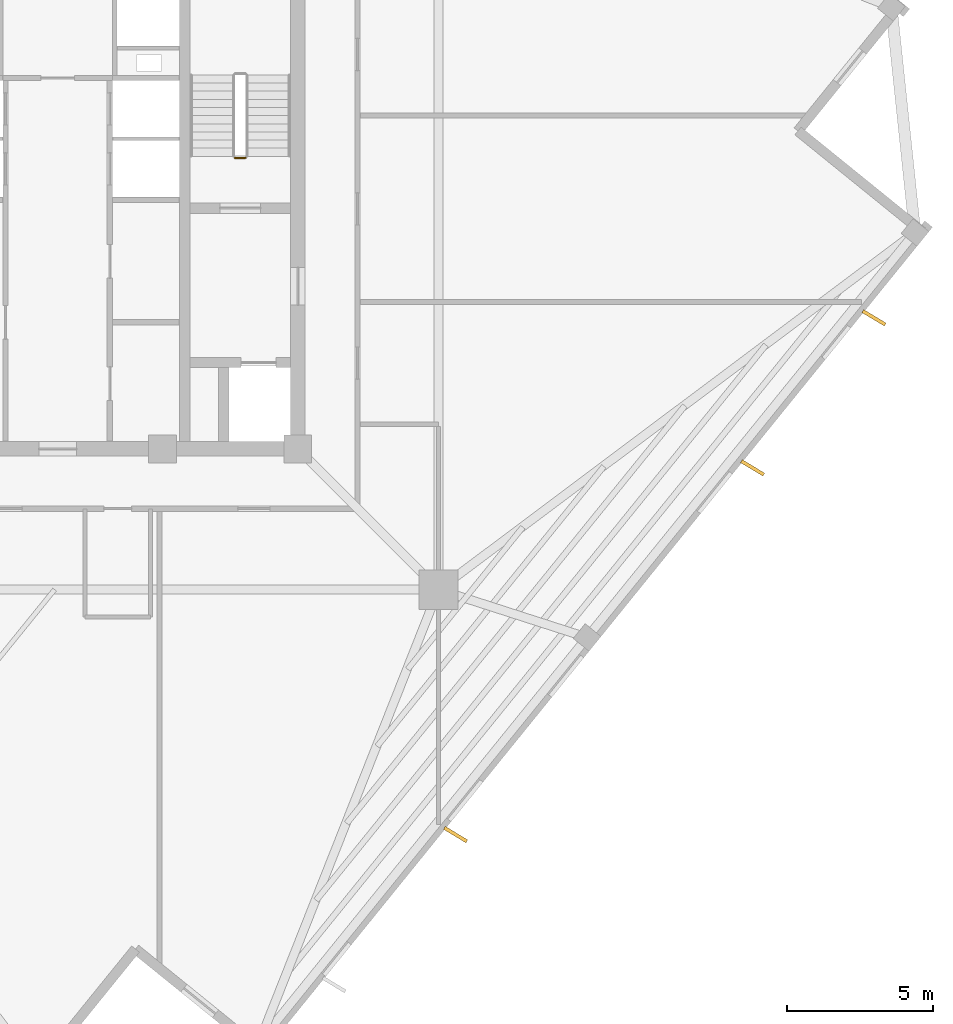
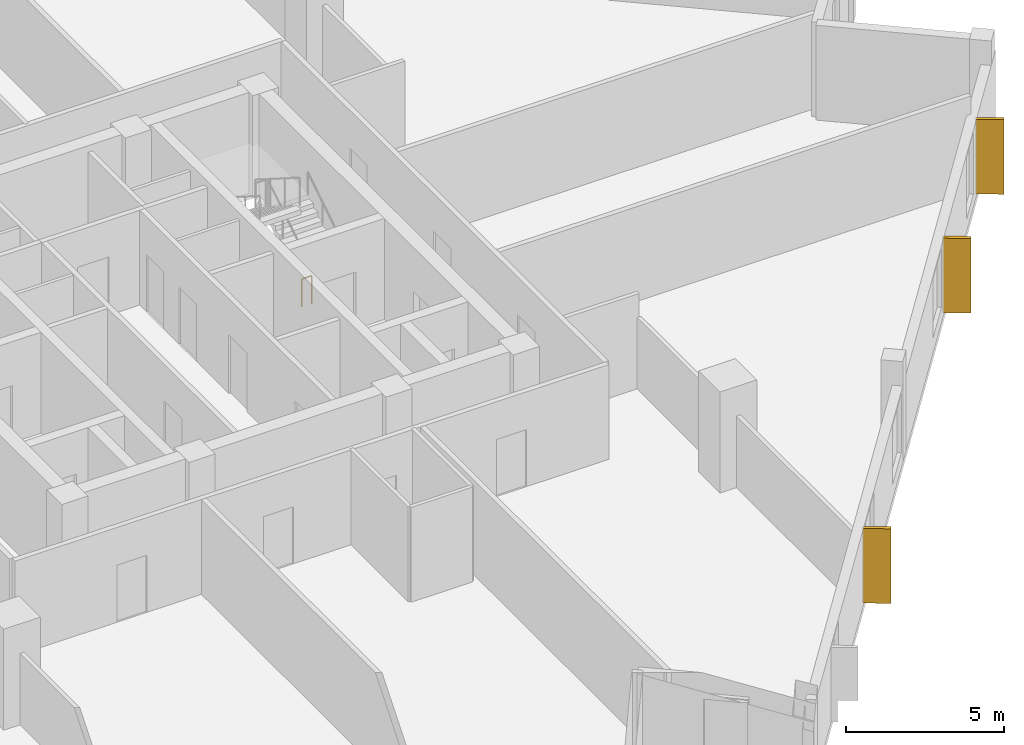
# One storey, part 8 of 10: 3 coverings, 1 railing.
"""IFC4 building model written with IfcOpenShell, lengths in metres."""

import ifcopenshell
import ifcopenshell.guid

model = None  # the IFC model being written
_history = None  # IfcOwnerHistory: only IFC2X3 demands one
_inside = {}  # id of a spatial element -> (the spatial element, [elements in it])
_under = {}  # id of a project, library or spatial element -> (it, [spatial elements below it])
_declared = {}  # id of a project -> (the project, [libraries it declares])
_typed = {}  # id of a type object -> (the type object, [elements of that type])
_made_of = {}  # id of a material, layer set ... -> (it, [elements and type objects made of it])


def new_model(schema):
    """Start an empty IFC model of exactly this schema.

    Asked for "IFC4X3", IfcOpenShell would pick the latest addendum, in which some entities
    have other attributes; the version numbers below select the first issue.
    IFC2X3 requires an IfcOwnerHistory on every rooted entity: one is made here for all.
    """
    global model, _history
    if schema == "IFC4X3":
        model = ifcopenshell.file(schema_version=(4, 3, 0, 0))
    else:
        model = ifcopenshell.file(schema=schema)
    _inside.clear()
    _under.clear()
    _declared.clear()
    _typed.clear()
    _made_of.clear()
    _history = None
    if model.schema == "IFC2X3":
        org = make("IfcOrganization", Name="unknown")
        user = make(
            "IfcPersonAndOrganization",
            ThePerson=make("IfcPerson", FamilyName="unknown"),
            TheOrganization=org,
        )
        app = make(
            "IfcApplication",
            ApplicationDeveloper=org,
            Version="unknown",
            ApplicationFullName="unknown",
            ApplicationIdentifier="unknown",
        )
        _history = make(
            "IfcOwnerHistory",
            OwningUser=user,
            OwningApplication=app,
            ChangeAction="ADDED",
            CreationDate=0,
        )
    return model


def make(cls, **values):
    """One entity of the class cls with the attributes given. An attribute that is None is left unset."""
    return model.create_entity(
        cls, **{name: value for name, value in values.items() if value is not None}
    )


def rooted(cls, **values):
    """An entity with a GlobalId (a new one), such as an element, a storey or a relation."""
    return make(cls, GlobalId=ifcopenshell.guid.new(), OwnerHistory=_history, **values)


def si_unit(unit_type, name, prefix=None):
    """IfcSIUnit, for example si_unit("LENGTHUNIT", "METRE", prefix="MILLI")."""
    return make("IfcSIUnit", UnitType=unit_type, Prefix=prefix, Name=name)


def assignment(units):
    """IfcUnitAssignment: the units of a project."""
    return None if units is None else make("IfcUnitAssignment", Units=units)


def point(xyz):
    """IfcCartesianPoint."""
    return None if xyz is None else make("IfcCartesianPoint", Coordinates=xyz)


def direction(xyz):
    """IfcDirection."""
    return None if xyz is None else make("IfcDirection", DirectionRatios=xyz)


def frame(location, z_axis=None, x_axis=None):
    """IfcAxis2Placement3D, a coordinate frame: its origin and axes. An axis left out is left unset."""
    return make(
        "IfcAxis2Placement3D",
        Location=point(location),
        Axis=direction(z_axis),
        RefDirection=direction(x_axis),
    )


def frame_2d(location, x_axis=None):
    """IfcAxis2Placement2D, a coordinate frame in the plane: its origin and x axis."""
    return make(
        "IfcAxis2Placement2D", Location=point(location), RefDirection=direction(x_axis)
    )


def origin():
    """The frame at (0, 0, 0) with its axes left unset."""
    return frame((0.0, 0.0, 0.0))


def origin_2d():
    """The frame at (0, 0) in the plane with its x axis left unset."""
    return frame_2d((0.0, 0.0))


def place(relative_to, where):
    """IfcLocalPlacement: puts the frame where relative to a parent placement (None: the world)."""
    return make(
        "IfcLocalPlacement", PlacementRelTo=relative_to, RelativePlacement=where
    )


def context(
    kind, dimensions, precision=None, world=None, true_north=None, identifier=None
):
    """IfcGeometricRepresentationContext, for example the 3D "Model" context."""
    return make(
        "IfcGeometricRepresentationContext",
        ContextIdentifier=identifier,
        ContextType=kind,
        CoordinateSpaceDimension=dimensions,
        Precision=precision,
        WorldCoordinateSystem=world,
        TrueNorth=true_north,
    )


def subcontext(parent, identifier, kind, view, scale=None):
    """IfcGeometricRepresentationSubContext, for example "Body" below "Model"."""
    return make(
        "IfcGeometricRepresentationSubContext",
        ContextIdentifier=identifier,
        ContextType=kind,
        ParentContext=parent,
        TargetScale=scale,
        TargetView=view,
    )


def project(units=None, contexts=None):
    """IfcProject with its units and contexts."""
    return rooted(
        "IfcProject",
        Name="project",
        RepresentationContexts=contexts,
        UnitsInContext=assignment(units),
    )


def spatial(cls, under=None, at=None, **own):
    """A site, building, storey or space (cls), placed at a placement, below another one or the project."""
    s = rooted(cls, ObjectPlacement=at, **own)
    if under is not None:
        _under.setdefault(under.id(), (under, []))[1].append(s)
    return s


def profile(cls, at=None, kind="AREA", **sizes):
    """A parametric profile (cls). Its sizes go by their IFC names, for example OverallWidth=200.0."""
    return make(cls, ProfileType=kind, Position=at, **sizes)


def rectangle(**sizes):
    """IfcRectangleProfileDef."""
    return profile("IfcRectangleProfileDef", **sizes)


def circle(**sizes):
    """IfcCircleProfileDef."""
    return profile("IfcCircleProfileDef", **sizes)


def extrude(swept, where, along, depth):
    """IfcExtrudedAreaSolid: the profile swept, set in the frame where, extruded along a direction by depth."""
    return make(
        "IfcExtrudedAreaSolid",
        SweptArea=swept,
        Position=where,
        ExtrudedDirection=direction(along),
        Depth=depth,
    )


def shape(context_of_items, identifier, shape_type, items):
    """IfcShapeRepresentation: the items that make up one representation, for example the "Body"."""
    return make(
        "IfcShapeRepresentation",
        ContextOfItems=context_of_items,
        RepresentationIdentifier=identifier,
        RepresentationType=shape_type,
        Items=items,
    )


def source(mapping_origin, context_of_items, identifier, shape_type, items):
    """IfcRepresentationMap: a shape defined once, which mapped items show again and again."""
    return make(
        "IfcRepresentationMap",
        MappingOrigin=mapping_origin,
        MappedRepresentation=shape(context_of_items, identifier, shape_type, items),
    )


def transform(
    local_origin,
    x_axis=None,
    y_axis=None,
    z_axis=None,
    scale=None,
    scale2=None,
    scale3=None,
    uniform=True,
):
    """IfcCartesianTransformationOperator3D, or its non-uniform kind. x_axis, y_axis, z_axis: its Axis1, 2, 3."""
    if uniform:
        return make(
            "IfcCartesianTransformationOperator3D",
            Axis1=direction(x_axis),
            Axis2=direction(y_axis),
            LocalOrigin=point(local_origin),
            Scale=scale,
            Axis3=direction(z_axis),
        )
    return make(
        "IfcCartesianTransformationOperator3DnonUniform",
        Axis1=direction(x_axis),
        Axis2=direction(y_axis),
        LocalOrigin=point(local_origin),
        Scale=scale,
        Axis3=direction(z_axis),
        Scale2=scale2,
        Scale3=scale3,
    )


def mapped(mapping_source, mapping_target):
    """IfcMappedItem: shows the shape of a source again, moved by a transform."""
    return make(
        "IfcMappedItem", MappingSource=mapping_source, MappingTarget=mapping_target
    )


def material(Name=None, Category=None):
    """IfcMaterial."""
    return make("IfcMaterial", Name=Name, Category=Category)


def layer(
    of_material, thickness, ventilated=None, Name=None, Category=None, Priority=None
):
    """IfcMaterialLayer: one layer of a wall or slab, of a material (None: an air gap)."""
    return make(
        "IfcMaterialLayer",
        Material=of_material,
        LayerThickness=thickness,
        IsVentilated=ventilated,
        Name=Name,
        Category=Category,
        Priority=Priority,
    )


def layer_set(layers, Name=None):
    """IfcMaterialLayerSet."""
    return make("IfcMaterialLayerSet", MaterialLayers=layers, LayerSetName=Name)


def made_of(thing, what):
    """Note that an element or type object is made of a material, layer set ...; save() writes the relation."""
    if what is not None:
        _made_of.setdefault(what.id(), (what, []))[1].append(thing)
    return thing


def type_object(cls, material=None, **own):
    """A type object (cls), such as IfcWallType, which elements share."""
    return made_of(rooted(cls, **own), material)


def element(
    cls,
    number,
    at=None,
    inside=None,
    cuts=None,
    type_object=None,
    material=None,
    context=None,
    identifier="Body",
    shape_type=None,
    held_by="IfcProductDefinitionShape",
    body=None,
    shapes=None,
    **own,
):
    """One element of the class cls, such as IfcWall. Its Tag is "e" and its number.

    at: its placement. inside: the storey or other place that contains it. cuts: it is an
    opening in that element (IfcRelVoidsElement). A single representation is given by context,
    identifier, shape_type and body (its items); several are given by shapes. held_by: the class
    of the entity that holds the representations. save() writes the other relations.
    """
    e = rooted(cls, Tag="e%d" % number, ObjectPlacement=at, **own)
    if body is not None:
        shapes = [shape(context, identifier, shape_type, body)]
    if shapes is not None:
        e.Representation = make(held_by, Representations=shapes)
    if inside is not None:
        _inside.setdefault(inside.id(), (inside, []))[1].append(e)
    if cuts is not None:
        rooted(
            "IfcRelVoidsElement", RelatingBuildingElement=cuts, RelatedOpeningElement=e
        )
    if type_object is not None:
        _typed.setdefault(type_object.id(), (type_object, []))[1].append(e)
    return made_of(e, material)


def aggregate(whole, parts):
    """IfcRelAggregates: a whole, such as a stair, and the parts it consists of."""
    return rooted("IfcRelAggregates", RelatingObject=whole, RelatedObjects=parts)


def save(model, path):
    """Write the relations noted so far, then the file.

    IfcRelAggregates (storeys below a building ...), IfcRelContainedInSpatialStructure (elements
    in a storey), IfcRelDefinesByType, IfcRelAssociatesMaterial and IfcRelDeclares: one each for
    every whole, place, type object, material and project.
    """
    for whole, parts in _under.values():
        aggregate(whole, parts)
    for where, things in _inside.values():
        rooted(
            "IfcRelContainedInSpatialStructure",
            RelatedElements=things,
            RelatingStructure=where,
        )
    for kind, things in _typed.values():
        rooted("IfcRelDefinesByType", RelatedObjects=things, RelatingType=kind)
    for what, things in _made_of.values():
        rooted("IfcRelAssociatesMaterial", RelatedObjects=things, RelatingMaterial=what)
    for by, libraries in _declared.values():
        rooted("IfcRelDeclares", RelatingContext=by, RelatedDefinitions=libraries)
    model.write(path)


model = new_model("IFC4")

# Units and contexts
model_context = context("Model", 3, precision=1e-05, world=origin(), true_north=direction((0.0, 1.0)))
body_context = subcontext(model_context, "Body", "Model", "MODEL_VIEW")
ifc_project = project(units=[si_unit("LENGTHUNIT", "METRE"), si_unit("AREAUNIT", "SQUARE_METRE"), si_unit("VOLUMEUNIT", "CUBIC_METRE"), si_unit("PLANEANGLEUNIT", "RADIAN"), si_unit("MASSUNIT", "GRAM", prefix="KILO"), si_unit("THERMODYNAMICTEMPERATUREUNIT", "KELVIN")], contexts=[model_context])

# Site, building, storey
site_placement = place(None, origin())
site = spatial("IfcSite", under=ifc_project, at=site_placement, CompositionType="ELEMENT")
building_placement = place(site_placement, origin())
building = spatial("IfcBuilding", under=site, at=building_placement, Name="Kosmvard Interchange Tower", CompositionType="ELEMENT")
storey_placement = place(building_placement, frame((0.0, 0.0, 240.699951171875)))
storey = spatial("IfcBuildingStorey", under=building, at=storey_placement, Name="L58", CompositionType="ELEMENT", Elevation=240.699951171875)

# Coverings
ifc_material_1 = material(Name="Architectural anodised aluminium", Category="aluminium")
ifc_layer = layer(ifc_material_1, 0.1201171875, Name="Architectural anodised aluminium")
ifc_layer_set = layer_set([ifc_layer], Name="Architectural anodised aluminium")
covering_type = type_object("IfcCoveringType", Name="Rotating Vertical Sun-Breaker Fin 900x120 Aluminium", PredefinedType="CLADDING", material=ifc_layer_set)
shared_shape_1 = source(origin(), body_context, "Body", "SweptSolid", [
    extrude(rectangle(XDim=0.89990234375, YDim=0.1201171875, at=origin_2d()), origin(), (0.0, 0.0, 1.0), 2.8798828125),
])
for number, where, z_axis, x_axis, name in (
    (1, (13.66748046875, -21.49658203125, 0.0400390625), (0.0, 0.0, 1.0), (0.856176919486, -0.516682767798, 0.0), "L58 Rotating Vertical Sun-Breaker Fin 02"),
    (2, (23.86865234375, -8.8994140625, 0.0400390625), (0.0, 0.0, 1.0), (0.856176919486, -0.516682767798, 0.0), "L58 Rotating Vertical Sun-Breaker Fin 03"),
    (3, (28.041748046875, -3.74609375, 0.0400390625), (0.0, 0.0, 1.0), (0.856176919486, -0.516682767798, 0.0), "L58 Rotating Vertical Sun-Breaker Fin 04"),
):
    element("IfcCovering", number, at=place(storey_placement, frame(where, z_axis=z_axis, x_axis=x_axis)), inside=storey, type_object=covering_type, Name=name, PredefinedType="CLADDING", context=body_context, shape_type="MappedRepresentation", body=[
        mapped(shared_shape_1, transform((0.0, 0.0, 0.0), scale=1.0)),
    ])

# Railing
ifc_material_2 = material(Name="Steel S355", Category="steel")
railing_type = type_object("IfcRailingType", Name="Stair & Terrace Safety Guardrail 1100 Steel", PredefinedType="GUARDRAIL", material=ifc_material_2)
shared_shape_2 = source(origin(), body_context, "Body", "SweptSolid", [
    extrude(circle(Radius=0.02392578125, at=origin_2d()), frame((0.0, 0.0, 1.076171875), z_axis=(-1.0, 0.0, 0.0), x_axis=(0.0, -1.0, 0.0)), (0.0, 0.0, 1.0), 0.35986328125),
    extrude(circle(Radius=0.02099609375, at=origin_2d()), origin(), (0.0, 0.0, 1.0), 1.052001953125),
    extrude(circle(Radius=0.02099609375, at=origin_2d()), frame((-0.35986328125, 0.0, 0.0)), (0.0, 0.0, 1.0), 1.052001953125),
])
railing_placement = place(storey_placement, frame((6.449951171875, 1.75, 0.0)))
element("IfcRailing", 4, at=railing_placement, inside=storey, type_object=railing_type, Name="L58 ST-2 stair guard 4", PredefinedType="GUARDRAIL", context=body_context, shape_type="MappedRepresentation", body=[
    mapped(shared_shape_2, transform((0.0, 0.0, 0.0), scale=1.0)),
])

save(model, "model.ifc")
